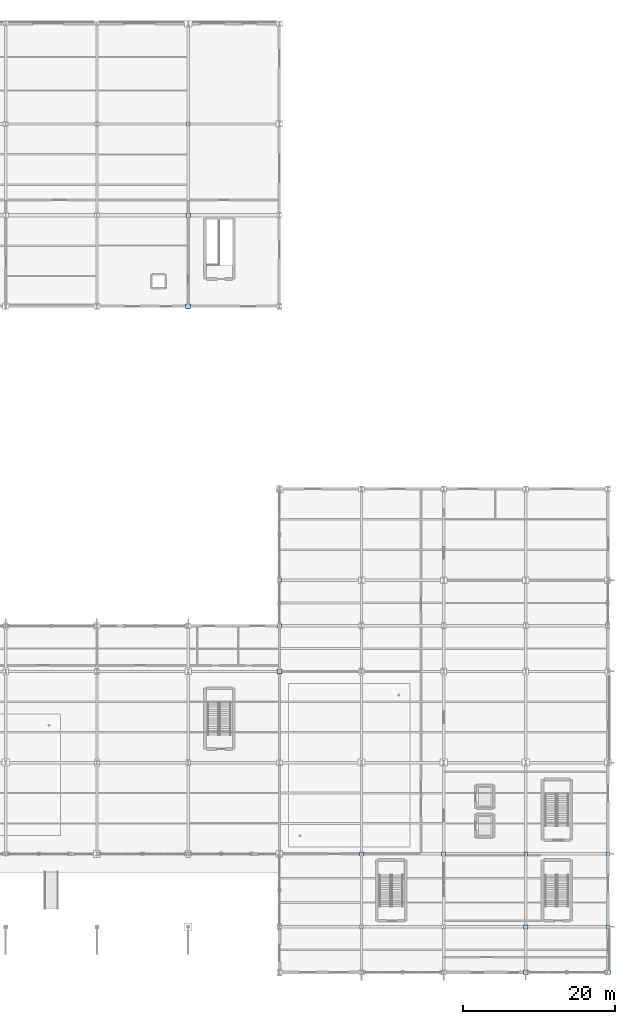
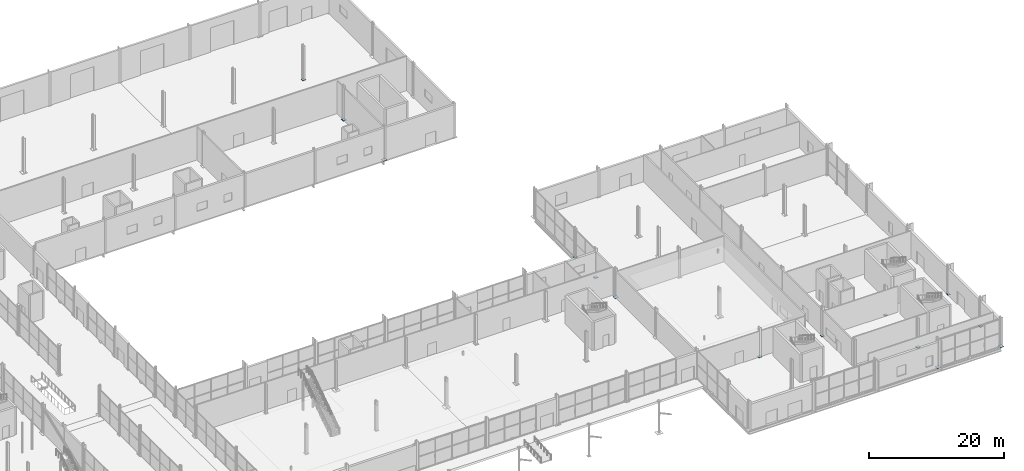
# One storey, part 168 of 196: 14 plates.
"""IFC4 building model written with IfcOpenShell, lengths in metres."""

import ifcopenshell
import ifcopenshell.guid

model = None  # the IFC model being written
_history = None  # IfcOwnerHistory: only IFC2X3 demands one
_inside = {}  # id of a spatial element -> (the spatial element, [elements in it])
_under = {}  # id of a project, library or spatial element -> (it, [spatial elements below it])
_declared = {}  # id of a project -> (the project, [libraries it declares])
_typed = {}  # id of a type object -> (the type object, [elements of that type])
_made_of = {}  # id of a material, layer set ... -> (it, [elements and type objects made of it])


def new_model(schema):
    """Start an empty IFC model of exactly this schema.

    Asked for "IFC4X3", IfcOpenShell would pick the latest addendum, in which some entities
    have other attributes; the version numbers below select the first issue.
    IFC2X3 requires an IfcOwnerHistory on every rooted entity: one is made here for all.
    """
    global model, _history
    if schema == "IFC4X3":
        model = ifcopenshell.file(schema_version=(4, 3, 0, 0))
    else:
        model = ifcopenshell.file(schema=schema)
    _inside.clear()
    _under.clear()
    _declared.clear()
    _typed.clear()
    _made_of.clear()
    _history = None
    if model.schema == "IFC2X3":
        org = make("IfcOrganization", Name="unknown")
        user = make(
            "IfcPersonAndOrganization",
            ThePerson=make("IfcPerson", FamilyName="unknown"),
            TheOrganization=org,
        )
        app = make(
            "IfcApplication",
            ApplicationDeveloper=org,
            Version="unknown",
            ApplicationFullName="unknown",
            ApplicationIdentifier="unknown",
        )
        _history = make(
            "IfcOwnerHistory",
            OwningUser=user,
            OwningApplication=app,
            ChangeAction="ADDED",
            CreationDate=0,
        )
    return model


def make(cls, **values):
    """One entity of the class cls with the attributes given. An attribute that is None is left unset."""
    return model.create_entity(
        cls, **{name: value for name, value in values.items() if value is not None}
    )


def rooted(cls, **values):
    """An entity with a GlobalId (a new one), such as an element, a storey or a relation."""
    return make(cls, GlobalId=ifcopenshell.guid.new(), OwnerHistory=_history, **values)


def si_unit(unit_type, name, prefix=None):
    """IfcSIUnit, for example si_unit("LENGTHUNIT", "METRE", prefix="MILLI")."""
    return make("IfcSIUnit", UnitType=unit_type, Prefix=prefix, Name=name)


def assignment(units):
    """IfcUnitAssignment: the units of a project."""
    return None if units is None else make("IfcUnitAssignment", Units=units)


def point(xyz):
    """IfcCartesianPoint."""
    return None if xyz is None else make("IfcCartesianPoint", Coordinates=xyz)


def direction(xyz):
    """IfcDirection."""
    return None if xyz is None else make("IfcDirection", DirectionRatios=xyz)


def frame(location, z_axis=None, x_axis=None):
    """IfcAxis2Placement3D, a coordinate frame: its origin and axes. An axis left out is left unset."""
    return make(
        "IfcAxis2Placement3D",
        Location=point(location),
        Axis=direction(z_axis),
        RefDirection=direction(x_axis),
    )


def frame_2d(location, x_axis=None):
    """IfcAxis2Placement2D, a coordinate frame in the plane: its origin and x axis."""
    return make(
        "IfcAxis2Placement2D", Location=point(location), RefDirection=direction(x_axis)
    )


def origin():
    """The frame at (0, 0, 0) with its axes left unset."""
    return frame((0.0, 0.0, 0.0))


def origin_2d():
    """The frame at (0, 0) in the plane with its x axis left unset."""
    return frame_2d((0.0, 0.0))


def place(relative_to, where):
    """IfcLocalPlacement: puts the frame where relative to a parent placement (None: the world)."""
    return make(
        "IfcLocalPlacement", PlacementRelTo=relative_to, RelativePlacement=where
    )


def context(
    kind, dimensions, precision=None, world=None, true_north=None, identifier=None
):
    """IfcGeometricRepresentationContext, for example the 3D "Model" context."""
    return make(
        "IfcGeometricRepresentationContext",
        ContextIdentifier=identifier,
        ContextType=kind,
        CoordinateSpaceDimension=dimensions,
        Precision=precision,
        WorldCoordinateSystem=world,
        TrueNorth=true_north,
    )


def subcontext(parent, identifier, kind, view, scale=None):
    """IfcGeometricRepresentationSubContext, for example "Body" below "Model"."""
    return make(
        "IfcGeometricRepresentationSubContext",
        ContextIdentifier=identifier,
        ContextType=kind,
        ParentContext=parent,
        TargetScale=scale,
        TargetView=view,
    )


def project(units=None, contexts=None):
    """IfcProject with its units and contexts."""
    return rooted(
        "IfcProject",
        Name="project",
        RepresentationContexts=contexts,
        UnitsInContext=assignment(units),
    )


def spatial(cls, under=None, at=None, **own):
    """A site, building, storey or space (cls), placed at a placement, below another one or the project."""
    s = rooted(cls, ObjectPlacement=at, **own)
    if under is not None:
        _under.setdefault(under.id(), (under, []))[1].append(s)
    return s


def profile(cls, at=None, kind="AREA", **sizes):
    """A parametric profile (cls). Its sizes go by their IFC names, for example OverallWidth=200.0."""
    return make(cls, ProfileType=kind, Position=at, **sizes)


def rectangle(**sizes):
    """IfcRectangleProfileDef."""
    return profile("IfcRectangleProfileDef", **sizes)


def extrude(swept, where, along, depth):
    """IfcExtrudedAreaSolid: the profile swept, set in the frame where, extruded along a direction by depth."""
    return make(
        "IfcExtrudedAreaSolid",
        SweptArea=swept,
        Position=where,
        ExtrudedDirection=direction(along),
        Depth=depth,
    )


def shape(context_of_items, identifier, shape_type, items):
    """IfcShapeRepresentation: the items that make up one representation, for example the "Body"."""
    return make(
        "IfcShapeRepresentation",
        ContextOfItems=context_of_items,
        RepresentationIdentifier=identifier,
        RepresentationType=shape_type,
        Items=items,
    )


def material(Name=None, Category=None):
    """IfcMaterial."""
    return make("IfcMaterial", Name=Name, Category=Category)


def layer(
    of_material, thickness, ventilated=None, Name=None, Category=None, Priority=None
):
    """IfcMaterialLayer: one layer of a wall or slab, of a material (None: an air gap)."""
    return make(
        "IfcMaterialLayer",
        Material=of_material,
        LayerThickness=thickness,
        IsVentilated=ventilated,
        Name=Name,
        Category=Category,
        Priority=Priority,
    )


def layer_set(layers, Name=None):
    """IfcMaterialLayerSet."""
    return make("IfcMaterialLayerSet", MaterialLayers=layers, LayerSetName=Name)


def made_of(thing, what):
    """Note that an element or type object is made of a material, layer set ...; save() writes the relation."""
    if what is not None:
        _made_of.setdefault(what.id(), (what, []))[1].append(thing)
    return thing


def type_object(cls, material=None, **own):
    """A type object (cls), such as IfcWallType, which elements share."""
    return made_of(rooted(cls, **own), material)


def element(
    cls,
    number,
    at=None,
    inside=None,
    cuts=None,
    type_object=None,
    material=None,
    context=None,
    identifier="Body",
    shape_type=None,
    held_by="IfcProductDefinitionShape",
    body=None,
    shapes=None,
    **own,
):
    """One element of the class cls, such as IfcWall. Its Tag is "e" and its number.

    at: its placement. inside: the storey or other place that contains it. cuts: it is an
    opening in that element (IfcRelVoidsElement). A single representation is given by context,
    identifier, shape_type and body (its items); several are given by shapes. held_by: the class
    of the entity that holds the representations. save() writes the other relations.
    """
    e = rooted(cls, Tag="e%d" % number, ObjectPlacement=at, **own)
    if body is not None:
        shapes = [shape(context, identifier, shape_type, body)]
    if shapes is not None:
        e.Representation = make(held_by, Representations=shapes)
    if inside is not None:
        _inside.setdefault(inside.id(), (inside, []))[1].append(e)
    if cuts is not None:
        rooted(
            "IfcRelVoidsElement", RelatingBuildingElement=cuts, RelatedOpeningElement=e
        )
    if type_object is not None:
        _typed.setdefault(type_object.id(), (type_object, []))[1].append(e)
    return made_of(e, material)


def aggregate(whole, parts):
    """IfcRelAggregates: a whole, such as a stair, and the parts it consists of."""
    return rooted("IfcRelAggregates", RelatingObject=whole, RelatedObjects=parts)


def save(model, path):
    """Write the relations noted so far, then the file.

    IfcRelAggregates (storeys below a building ...), IfcRelContainedInSpatialStructure (elements
    in a storey), IfcRelDefinesByType, IfcRelAssociatesMaterial and IfcRelDeclares: one each for
    every whole, place, type object, material and project.
    """
    for whole, parts in _under.values():
        aggregate(whole, parts)
    for where, things in _inside.values():
        rooted(
            "IfcRelContainedInSpatialStructure",
            RelatedElements=things,
            RelatingStructure=where,
        )
    for kind, things in _typed.values():
        rooted("IfcRelDefinesByType", RelatedObjects=things, RelatingType=kind)
    for what, things in _made_of.values():
        rooted("IfcRelAssociatesMaterial", RelatedObjects=things, RelatingMaterial=what)
    for by, libraries in _declared.values():
        rooted("IfcRelDeclares", RelatingContext=by, RelatedDefinitions=libraries)
    model.write(path)


model = new_model("IFC4")

# Units and contexts
model_context = context("Model", 3, precision=1e-05, world=origin(), true_north=direction((0.0, 1.0)))
body_context = subcontext(model_context, "Body", "Model", "MODEL_VIEW")
ifc_project = project(units=[si_unit("LENGTHUNIT", "METRE"), si_unit("AREAUNIT", "SQUARE_METRE"), si_unit("VOLUMEUNIT", "CUBIC_METRE"), si_unit("PLANEANGLEUNIT", "RADIAN"), si_unit("MASSUNIT", "GRAM", prefix="KILO")], contexts=[model_context])

# Site, building, storey
site_placement = place(None, origin())
site = spatial("IfcSite", under=ifc_project, at=site_placement, CompositionType="ELEMENT")
building_placement = place(site_placement, origin())
building = spatial("IfcBuilding", under=site, at=building_placement, Name="Merenkruunu Market Hall", CompositionType="ELEMENT")
storey_placement = place(building_placement, origin())
storey = spatial("IfcBuildingStorey", under=building, at=storey_placement, Name="L00", CompositionType="ELEMENT", Elevation=0.0)

# Plates
ifc_material = material(Name="Steel S355ML", Category="steel")
ifc_layer_1 = layer(ifc_material, 0.034912109375)
ifc_layer_set_1 = layer_set([ifc_layer_1], Name="Steel S355ML")
plate_type_1 = type_object("IfcPlateType", Name="Column Base Plate BP03", PredefinedType="USERDEFINED", material=ifc_layer_set_1)
for number, where, z_axis, x_axis, name in (
    (1, (136.800048828125, 87.60009765625, 0.0), (0.0, 0.0, 1.0), (1.0, 0.0, 0.0), "PLT-BP-P-10"),
    (2, (148.800048828125, 39.60009765625, 0.0), (0.0, 0.0, 1.0), (1.0, 0.0, 0.0), "PLT-BP-Q-05"),
    (3, (181.199951171875, 0.0, 0.0), (0.0, 0.0, 1.0), (1.0, 0.0, 0.0), "PLT-BP-T-01"),
    (4, (192.0, 0.0, 0.0), (0.0, 0.0, 1.0), (1.0, 0.0, 0.0), "PLT-BP-U-01"),
):
    element("IfcPlate", number, at=place(storey_placement, frame(where, z_axis=z_axis, x_axis=x_axis)), inside=storey, type_object=plate_type_1, Name=name, ObjectType="BASE_PLATE", PredefinedType="USERDEFINED", context=body_context, shape_type="SweptSolid", body=[
        extrude(rectangle(XDim=0.64990234375, YDim=0.64990234375, at=origin_2d()), origin(), (0.0, 0.0, 1.0), 0.034912109375),
    ])
ifc_layer_2 = layer(ifc_material, 0.030029296875)
ifc_layer_set_2 = layer_set([ifc_layer_2], Name="Steel S355ML")
plate_type_2 = type_object("IfcPlateType", Name="Column Base Plate BP04", PredefinedType="USERDEFINED", material=ifc_layer_set_2)
for number, where, z_axis, x_axis, name in (
    (5, (136.800048828125, 99.60009765625, 0.0), (0.0, 0.0, 1.0), (1.0, 0.0, 0.0), "PLT-BP-P-11"),
    (6, (148.800048828125, 45.60009765625, 0.0), (0.0, 0.0, 1.0), (1.0, 0.0, 0.0), "PLT-BP-Q-06"),
    (7, (181.199951171875, 6.0, 0.0), (0.0, 0.0, 1.0), (1.0, 0.0, 0.0), "PLT-BP-T-02"),
    (8, (192.0, 6.0, 0.0), (0.0, 0.0, 1.0), (1.0, 0.0, 0.0), "PLT-BP-U-02"),
):
    element("IfcPlate", number, at=place(storey_placement, frame(where, z_axis=z_axis, x_axis=x_axis)), inside=storey, type_object=plate_type_2, Name=name, ObjectType="BASE_PLATE", PredefinedType="USERDEFINED", context=body_context, shape_type="SweptSolid", body=[
        extrude(rectangle(XDim=0.550048828125, YDim=0.550048828125, at=origin_2d()), origin(), (0.0, 0.0, 1.0), 0.030029296875),
    ])
ifc_layer_3 = layer(ifc_material, 0.028076171875)
ifc_layer_set_3 = layer_set([ifc_layer_3], Name="Steel S355ML")
plate_type_3 = type_object("IfcPlateType", Name="Column Base Plate BP05", PredefinedType="USERDEFINED", material=ifc_layer_set_3)
for number, where, z_axis, x_axis, name in (
    (9, (136.800048828125, 111.60009765625, 0.0), (0.0, 0.0, 1.0), (1.0, 0.0, 0.0), "PLT-BP-P-12"),
    (10, (148.800048828125, 51.60009765625, 0.0), (0.0, 0.0, 1.0), (1.0, 0.0, 0.0), "PLT-BP-Q-07"),
    (11, (159.60009765625, 15.60009765625, 0.0), (0.0, 0.0, 1.0), (1.0, 0.0, 0.0), "PLT-BP-R-03"),
    (12, (170.39990234375, 15.60009765625, 0.0), (0.0, 0.0, 1.0), (1.0, 0.0, 0.0), "PLT-BP-S-03"),
    (13, (181.199951171875, 15.60009765625, 0.0), (0.0, 0.0, 1.0), (1.0, 0.0, 0.0), "PLT-BP-T-03"),
    (14, (192.0, 15.60009765625, 0.0), (0.0, 0.0, 1.0), (1.0, 0.0, 0.0), "PLT-BP-U-03"),
):
    element("IfcPlate", number, at=place(storey_placement, frame(where, z_axis=z_axis, x_axis=x_axis)), inside=storey, type_object=plate_type_3, Name=name, ObjectType="BASE_PLATE", PredefinedType="USERDEFINED", context=body_context, shape_type="SweptSolid", body=[
        extrude(rectangle(XDim=0.5, YDim=0.5, at=origin_2d()), origin(), (0.0, 0.0, 1.0), 0.028076171875),
    ])

save(model, "model.ifc")
